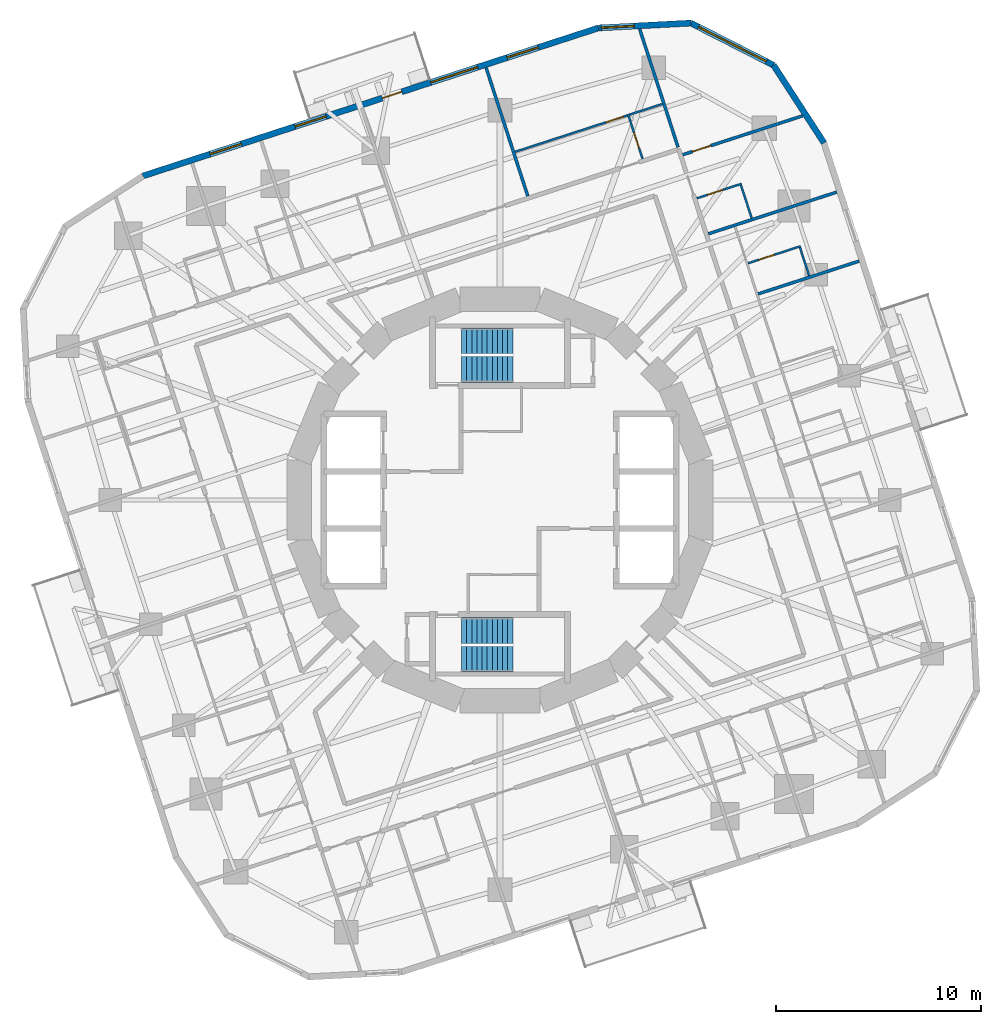
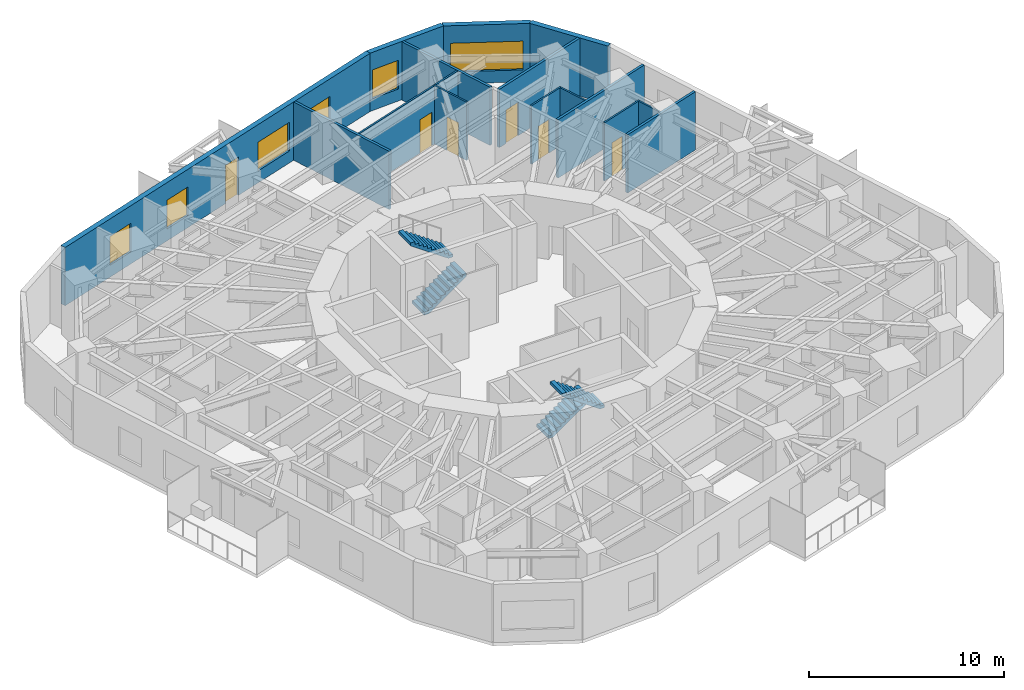
# One storey, part 10 of 12: 16 walls, 6 doors, 6 windows, 4 stair flights, 12 openings, 2 elements without a shape of their own.
"""IFC4 building model written with IfcOpenShell, lengths in metres."""

from ifc_helpers import new_model, si_unit, direction, frame, frame_2d, origin, place, context, subcontext, project, spatial, polyline, rectangle, outline, extrude, material, layer, layer_set, type_object, element, fill, aggregate, save


model = new_model("IFC4")

# Units and contexts
model_context = context("Model", 3, precision=1e-05, world=origin(), true_north=direction((0.0, 1.0)))
body_context = subcontext(model_context, "Body", "Model", "MODEL_VIEW")
ifc_project = project(units=[si_unit("LENGTHUNIT", "METRE"), si_unit("AREAUNIT", "SQUARE_METRE"), si_unit("VOLUMEUNIT", "CUBIC_METRE"), si_unit("PLANEANGLEUNIT", "RADIAN"), si_unit("MASSUNIT", "GRAM", prefix="KILO")], contexts=[model_context])

# Site, building, storey
site_placement = place(None, origin())
site = spatial("IfcSite", under=ifc_project, at=site_placement, CompositionType="ELEMENT")
building_placement = place(site_placement, origin())
building = spatial("IfcBuilding", under=site, at=building_placement, Name="Nakasero Lantern House", CompositionType="ELEMENT")
storey_placement = place(building_placement, frame((0.0, 0.0, 153.35009765625)))
storey = spatial("IfcBuildingStorey", under=building, at=storey_placement, Name="L37", CompositionType="ELEMENT", Elevation=153.35009765625)

# Wall, opening, door
ifc_material_1 = material(Name="Blockwork", Category="masonry")
ifc_layer_1 = layer(ifc_material_1, 0.10009765625)
ifc_layer_set_1 = layer_set([ifc_layer_1], Name="En-suite wall 100")
wall_type_1 = type_object("IfcWallType", Name="En-suite wall 100", PredefinedType="PARTITIONING", material=ifc_layer_set_1)
wall_1_placement = place(storey_placement, frame((12.11962890625, 11.564208984375, 0.0), z_axis=(0.0, 0.0, 1.0), x_axis=(0.951043371037, 0.309057448393, 0.0)))
wall_1 = element("IfcWall", 1, at=wall_1_placement, inside=storey, type_object=wall_type_1, Name="En-suite wall L37 ES0-05", PredefinedType="PARTITIONING", context=body_context, shape_type="SweptSolid", body=[
    extrude(rectangle(XDim=2.699951171875, YDim=0.10009765625, at=frame_2d((1.35009765625, 0.0))), origin(), (0.0, 0.0, 1.0), 3.64990234375),
])
opening_1_placement = place(wall_1_placement, frame((0.550048828125, 0.0, 0.0)))
opening_1 = element("IfcOpeningElement", 2, at=opening_1_placement, cuts=wall_1, Name="Opening D02", PredefinedType="OPENING", context=body_context, shape_type="SweptSolid", body=[
    extrude(rectangle(XDim=0.800048828125, YDim=2.10009765625, at=frame_2d((0.39990234375, 1.050048828125))), frame((0.0, 0.070068359375, 0.0), z_axis=(0.0, -1.0, 0.0), x_axis=(1.0, 0.0, 0.0)), (0.0, 0.0, 1.0), 0.14013671875),
])
ifc_material_2 = material(Name="Timber C24", Category="wood")
door_type_1 = type_object("IfcDoorType", Name="En-suite door 800", OperationType="SINGLE_SWING_RIGHT", PredefinedType="DOOR", material=ifc_material_2)
door_1_placement = place(opening_1_placement, origin())
door_1 = element("IfcDoor", 3, at=door_1_placement, inside=storey, type_object=door_type_1, Name="Door L37 DE0-05", OperationType="SINGLE_SWING_LEFT", OverallHeight=2.10009765625, OverallWidth=0.800048828125, PredefinedType="DOOR", context=body_context, shape_type="SweptSolid", body=[
    extrude(rectangle(XDim=0.800048828125, YDim=2.10009765625, at=frame_2d((0.39990234375, 1.050048828125))), frame((0.0, 0.02490234375, 0.0), z_axis=(0.0, -1.0, 0.0), x_axis=(1.0, 0.0, 0.0)), (0.0, 0.0, 1.0), 0.050048828125),
])
fill(opening_1, door_1)

# Wall
wall_2_placement = place(storey_placement, frame((15.103515625, 10.95654296875, 0.0), z_axis=(0.0, 0.0, 1.0), x_axis=(-0.309097492581, 0.951030357076, 0.0)))
element("IfcWall", 4, at=wall_2_placement, inside=storey, type_object=wall_type_1, Name="En-suite wall L37 EE0-05", PredefinedType="PARTITIONING", context=body_context, shape_type="SweptSolid", body=[
    extrude(rectangle(XDim=1.4501953125, YDim=0.10009765625, at=frame_2d((0.72509765625, 0.0))), origin(), (0.0, 0.0, 1.0), 3.64990234375),
])

# Wall, opening, door
wall_3_placement = place(storey_placement, frame((9.61572265625, 14.740234375, 0.0), z_axis=(0.0, 0.0, 1.0), x_axis=(0.951055129775, 0.309021261611, 0.0)))
wall_3 = element("IfcWall", 5, at=wall_3_placement, inside=storey, type_object=wall_type_1, Name="En-suite wall L37 ES0-06", PredefinedType="PARTITIONING", context=body_context, shape_type="SweptSolid", body=[
    extrude(rectangle(XDim=2.2998046875, YDim=0.10009765625, at=frame_2d((1.14990234375, 0.0))), origin(), (0.0, 0.0, 1.0), 3.64990234375),
])
opening_2_placement = place(wall_3_placement, frame((0.550048828125, 0.0, 0.0)))
opening_2 = element("IfcOpeningElement", 6, at=opening_2_placement, cuts=wall_3, Name="Opening D02", PredefinedType="OPENING", context=body_context, shape_type="SweptSolid", body=[
    extrude(rectangle(XDim=0.800048828125, YDim=2.10009765625, at=frame_2d((0.39990234375, 1.050048828125))), frame((0.0, 0.070068359375, 0.0), z_axis=(0.0, -1.0, 0.0), x_axis=(1.0, 0.0, 0.0)), (0.0, 0.0, 1.0), 0.14013671875),
])
door_2_placement = place(opening_2_placement, origin())
door_2 = element("IfcDoor", 7, at=door_2_placement, inside=storey, type_object=door_type_1, Name="Door L37 DE0-06", OperationType="SINGLE_SWING_LEFT", OverallHeight=2.10009765625, OverallWidth=0.800048828125, PredefinedType="DOOR", context=body_context, shape_type="SweptSolid", body=[
    extrude(rectangle(XDim=0.800048828125, YDim=2.10009765625, at=frame_2d((0.39990234375, 1.050048828125))), frame((0.0, 0.02490234375, 0.0), z_axis=(0.0, -1.0, 0.0), x_axis=(1.0, 0.0, 0.0)), (0.0, 0.0, 1.0), 0.050048828125),
])
fill(opening_2, door_2)

# Wall
wall_4_placement = place(storey_placement, frame((12.29638671875, 13.771240234375, 0.0), z_axis=(0.0, 0.0, 1.0), x_axis=(-0.309066587596, 0.951040401051, 0.0)))
element("IfcWall", 8, at=wall_4_placement, inside=storey, type_object=wall_type_1, Name="En-suite wall L37 EE0-06", PredefinedType="PARTITIONING", context=body_context, shape_type="SweptSolid", body=[
    extrude(rectangle(XDim=1.699951171875, YDim=0.10009765625, at=frame_2d((0.85009765625, 0.0))), origin(), (0.0, 0.0, 1.0), 3.64990234375),
])

# Wall, opening, door
wall_5_placement = place(storey_placement, frame((6.965087890625, 16.668212890625, 0.0), z_axis=(0.0, 0.0, 1.0), x_axis=(-0.309021261611, 0.951055129775, 0.0)))
wall_5 = element("IfcWall", 9, at=wall_5_placement, inside=storey, type_object=wall_type_1, Name="En-suite wall L37 ES1-00", PredefinedType="PARTITIONING", context=body_context, shape_type="SweptSolid", body=[
    extrude(rectangle(XDim=2.2998046875, YDim=0.10009765625, at=frame_2d((1.14990234375, 0.0))), origin(), (0.0, 0.0, 1.0), 3.64990234375),
])
opening_3_placement = place(wall_5_placement, frame((0.550048828125, 0.0, 0.0)))
opening_3 = element("IfcOpeningElement", 10, at=opening_3_placement, cuts=wall_5, Name="Opening D02", PredefinedType="OPENING", context=body_context, shape_type="SweptSolid", body=[
    extrude(rectangle(XDim=0.800048828125, YDim=2.10009765625, at=frame_2d((0.39990234375, 1.050048828125))), frame((0.0, 0.070068359375, 0.0), z_axis=(0.0, -1.0, 0.0), x_axis=(1.0, 0.0, 0.0)), (0.0, 0.0, 1.0), 0.14013671875),
])
door_3_placement = place(opening_3_placement, origin())
door_3 = element("IfcDoor", 11, at=door_3_placement, inside=storey, type_object=door_type_1, Name="Door L37 DE1-00", OperationType="SINGLE_SWING_LEFT", OverallHeight=2.10009765625, OverallWidth=0.800048828125, PredefinedType="DOOR", context=body_context, shape_type="SweptSolid", body=[
    extrude(rectangle(XDim=0.800048828125, YDim=2.10009765625, at=frame_2d((0.39990234375, 1.050048828125))), frame((0.0, 0.02490234375, 0.0), z_axis=(0.0, -1.0, 0.0), x_axis=(1.0, 0.0, 0.0)), (0.0, 0.0, 1.0), 0.050048828125),
])
fill(opening_3, door_3)

# Wall
wall_6_placement = place(storey_placement, frame((7.934326171875, 19.348876953125, 0.0), z_axis=(0.0, 0.0, 1.0), x_axis=(-0.951054116971, -0.309024378638, 0.0)))
element("IfcWall", 12, at=wall_6_placement, inside=storey, type_object=wall_type_1, Name="En-suite wall L37 EE1-00", PredefinedType="PARTITIONING", context=body_context, shape_type="SweptSolid", body=[
    extrude(rectangle(XDim=1.7001953125, YDim=0.10009765625, at=frame_2d((0.85009765625, 0.0))), origin(), (0.0, 0.0, 1.0), 3.64990234375),
])

# Wall, opening, door
wall_7_placement = place(storey_placement, frame((6.222412109375, 18.79248046875, 0.0), z_axis=(0.0, 0.0, 1.0), x_axis=(-0.951059566465, -0.30900760676, 0.0)))
wall_7 = element("IfcWall", 13, at=wall_7_placement, inside=storey, type_object=wall_type_1, Name="En-suite wall L37 EL1-00", PredefinedType="PARTITIONING", context=body_context, shape_type="SweptSolid", body=[
    extrude(rectangle(XDim=5.76904296875, YDim=0.10009765625, at=frame_2d((2.884521484375, 0.0))), origin(), (0.0, 0.0, 1.0), 3.64990234375),
])
opening_4_placement = place(wall_7_placement, frame((0.199951171875, 0.0, 0.0)))
opening_4 = element("IfcOpeningElement", 14, at=opening_4_placement, cuts=wall_7, Name="Opening D17", PredefinedType="OPENING", context=body_context, shape_type="SweptSolid", body=[
    extrude(rectangle(XDim=0.89990234375, YDim=2.10009765625, at=frame_2d((0.449951171875, 1.050048828125))), frame((0.0, 0.070068359375, 0.0), z_axis=(0.0, -1.0, 0.0), x_axis=(1.0, 0.0, 0.0)), (0.0, 0.0, 1.0), 0.14013671875),
])
ifc_material_3 = material(Name="Timber C24", Category="wood")
door_type_2 = type_object("IfcDoorType", Name="Bedroom door FD30S 900", OperationType="SINGLE_SWING_LEFT", PredefinedType="DOOR", material=ifc_material_3)
door_4_placement = place(opening_4_placement, origin())
door_4 = element("IfcDoor", 15, at=door_4_placement, inside=storey, type_object=door_type_2, Name="Door L37 DL1-00", OperationType="SINGLE_SWING_LEFT", OverallHeight=2.10009765625, OverallWidth=0.89990234375, PredefinedType="DOOR", context=body_context, shape_type="SweptSolid", body=[
    extrude(rectangle(XDim=0.89990234375, YDim=2.10009765625, at=frame_2d((0.449951171875, 1.050048828125))), frame((0.0, 0.02490234375, 0.0), z_axis=(0.0, -1.0, 0.0), x_axis=(1.0, 0.0, 0.0)), (0.0, 0.0, 1.0), 0.050048828125),
])
fill(opening_4, door_4)

# Wall
ifc_material_4 = material(Name="Aluminium rainscreen on blockwork", Category="masonry")
ifc_layer_2 = layer(ifc_material_4, 0.300048828125)
ifc_layer_set_2 = layer_set([ifc_layer_2], Name="Facade wall 300")
wall_type_2 = type_object("IfcWallType", Name="Facade wall 300", PredefinedType="SOLIDWALL", material=ifc_layer_set_2)
wall_8_placement = place(storey_placement, frame((15.83349609375, 17.44677734375, 0.0), z_axis=(0.0, 0.0, 1.0), x_axis=(-0.544634002266, 0.838673836229, 0.0)))
element("IfcWall", 16, at=wall_8_placement, inside=storey, type_object=wall_type_2, Name="Facade wall L37 FW0C1", PredefinedType="SOLIDWALL", context=body_context, shape_type="SweptSolid", body=[
    extrude(rectangle(XDim=4.529296875, YDim=0.300048828125, at=frame_2d((2.2646484375, 0.0))), origin(), (0.0, 0.0, 1.0), 3.64990234375),
])

# Wall, opening, window
wall_9_placement = place(storey_placement, frame((13.36669921875, 21.245361328125, 0.0), z_axis=(0.0, 0.0, 1.0), x_axis=(-0.890994655705, 0.454013792196, 0.0)))
wall_9 = element("IfcWall", 17, at=wall_9_placement, inside=storey, type_object=wall_type_2, Name="Facade wall L37 FW0C2", PredefinedType="SOLIDWALL", context=body_context, shape_type="SweptSolid", body=[
    extrude(rectangle(XDim=4.529296875, YDim=0.300048828125, at=frame_2d((2.2646484375, 0.0))), origin(), (0.0, 0.0, 1.0), 3.64990234375),
])
opening_5_placement = place(wall_9_placement, frame((0.39990234375, 0.0, 0.75)))
opening_5 = element("IfcOpeningElement", 18, at=opening_5_placement, cuts=wall_9, Name="Opening W237A", PredefinedType="OPENING", context=body_context, shape_type="SweptSolid", body=[
    extrude(rectangle(XDim=3.72900390625, YDim=1.800048828125, at=frame_2d((1.864501953125, 0.89990234375))), frame((0.0, 0.169921875, 0.0), z_axis=(0.0, -1.0, 0.0), x_axis=(1.0, 0.0, 0.0)), (0.0, 0.0, 1.0), 0.340087890625),
])
ifc_material_5 = material(Name="Aluminium 6063-T6 and glass", Category="aluminium")
window_type_1 = type_object("IfcWindowType", Name="Corner window 3729x1800", PartitioningType="SINGLE_PANEL", PredefinedType="WINDOW", material=ifc_material_5)
window_1_placement = place(opening_5_placement, origin())
window_1 = element("IfcWindow", 19, at=window_1_placement, inside=storey, type_object=window_type_1, Name="Window L37 WC0", OverallHeight=1.800048828125, OverallWidth=3.72900390625, PartitioningType="SINGLE_PANEL", PredefinedType="WINDOW", context=body_context, shape_type="SweptSolid", body=[
    extrude(rectangle(XDim=3.72900390625, YDim=1.800048828125, at=frame_2d((1.864501953125, 0.89990234375))), frame((0.0, 0.030029296875, 0.0), z_axis=(0.0, -1.0, 0.0), x_axis=(1.0, 0.0, 0.0)), (0.0, 0.0, 1.0), 0.06005859375),
])
fill(opening_5, window_1)

wall_10_placement = place(storey_placement, frame((9.3310546875, 23.3017578125, 0.0), z_axis=(0.0, 0.0, 1.0), x_axis=(-0.998629419044, -0.052338164079, 0.0)))
wall_10 = element("IfcWall", 20, at=wall_10_placement, inside=storey, type_object=wall_type_2, Name="Facade wall L37 FW0C3", PredefinedType="SOLIDWALL", context=body_context, shape_type="SweptSolid", body=[
    extrude(rectangle(XDim=4.529296875, YDim=0.300048828125, at=frame_2d((2.2646484375, 0.0))), origin(), (0.0, 0.0, 1.0), 3.64990234375),
])
opening_6_placement = place(wall_10_placement, frame((2.784912109375, 0.0, 0.75)))
opening_6 = element("IfcOpeningElement", 21, at=opening_6_placement, cuts=wall_10, Name="Opening W01", PredefinedType="OPENING", context=body_context, shape_type="SweptSolid", body=[
    extrude(rectangle(XDim=1.60009765625, YDim=1.800048828125, at=frame_2d((0.800048828125, 0.89990234375))), frame((0.0, 0.169921875, 0.0), z_axis=(0.0, -1.0, 0.0), x_axis=(1.0, 0.0, 0.0)), (0.0, 0.0, 1.0), 0.340087890625),
])
ifc_material_6 = material(Name="Aluminium 6063-T6 and glass", Category="aluminium")
window_type_2 = type_object("IfcWindowType", Name="Bedroom window 1600x1800", PartitioningType="SINGLE_PANEL", PredefinedType="WINDOW", material=ifc_material_6)
window_2_placement = place(opening_6_placement, origin())
window_2 = element("IfcWindow", 22, at=window_2_placement, inside=storey, type_object=window_type_2, Name="Window L37 WN1-00", OverallHeight=1.800048828125, OverallWidth=1.60009765625, PartitioningType="SINGLE_PANEL", PredefinedType="WINDOW", context=body_context, shape_type="SweptSolid", body=[
    extrude(rectangle(XDim=1.60009765625, YDim=1.800048828125, at=frame_2d((0.800048828125, 0.89990234375))), frame((0.0, 0.030029296875, 0.0), z_axis=(0.0, -1.0, 0.0), x_axis=(1.0, 0.0, 0.0)), (0.0, 0.0, 1.0), 0.06005859375),
])
fill(opening_6, window_2)

# Wall, openings, door, windows
wall_11_placement = place(storey_placement, frame((4.807861328125, 23.064697265625, 0.0), z_axis=(0.0, 0.0, 1.0), x_axis=(-0.951053618334, -0.30902591324, 0.0)))
wall_11 = element("IfcWall", 23, at=wall_11_placement, inside=storey, type_object=wall_type_2, Name="Facade wall L37 FW1S", PredefinedType="SOLIDWALL", context=body_context, shape_type="SweptSolid", body=[
    extrude(rectangle(XDim=23.39990234375, YDim=0.300048828125, at=frame_2d((11.699951171875, 0.0))), origin(), (0.0, 0.0, 1.0), 3.64990234375),
])
opening_7_placement = place(wall_11_placement, frame((3.089111328125, 0.0, 0.75)))
opening_7 = element("IfcOpeningElement", 24, at=opening_7_placement, cuts=wall_11, Name="Opening W01", PredefinedType="OPENING", context=body_context, shape_type="SweptSolid", body=[
    extrude(rectangle(XDim=1.60009765625, YDim=1.800048828125, at=frame_2d((0.800048828125, 0.89990234375))), frame((0.0, 0.169921875, 0.0), z_axis=(0.0, -1.0, 0.0), x_axis=(1.0, 0.0, 0.0)), (0.0, 0.0, 1.0), 0.340087890625),
])
opening_8_placement = place(wall_11_placement, frame((13.987548828125, 0.0, 0.75)))
opening_8 = element("IfcOpeningElement", 25, at=opening_8_placement, cuts=wall_11, Name="Opening W01", PredefinedType="OPENING", context=body_context, shape_type="SweptSolid", body=[
    extrude(rectangle(XDim=1.60009765625, YDim=1.800048828125, at=frame_2d((0.800048828125, 0.89990234375))), frame((0.0, 0.169921875, 0.0), z_axis=(0.0, -1.0, 0.0), x_axis=(1.0, 0.0, 0.0)), (0.0, 0.0, 1.0), 0.340087890625),
])
opening_9_placement = place(wall_11_placement, frame((18.350341796875, 0.0, 0.75)))
opening_9 = element("IfcOpeningElement", 26, at=opening_9_placement, cuts=wall_11, Name="Opening W01", PredefinedType="OPENING", context=body_context, shape_type="SweptSolid", body=[
    extrude(rectangle(XDim=1.60009765625, YDim=1.800048828125, at=frame_2d((0.800048828125, 0.89990234375))), frame((0.0, 0.169921875, 0.0), z_axis=(0.0, -1.0, 0.0), x_axis=(1.0, 0.0, 0.0)), (0.0, 0.0, 1.0), 0.340087890625),
])
opening_10_placement = place(wall_11_placement, frame((6.21337890625, 0.0, 0.75)))
opening_10 = element("IfcOpeningElement", 27, at=opening_10_placement, cuts=wall_11, Name="Opening W03", PredefinedType="OPENING", context=body_context, shape_type="SweptSolid", body=[
    extrude(rectangle(XDim=2.39990234375, YDim=1.800048828125, at=frame_2d((1.199951171875, 0.89990234375))), frame((0.0, 0.169921875, 0.0), z_axis=(0.0, -1.0, 0.0), x_axis=(1.0, 0.0, 0.0)), (0.0, 0.0, 1.0), 0.340087890625),
])
opening_11_placement = place(wall_11_placement, frame((10.1025390625, 0.0, 0.0)))
opening_11 = element("IfcOpeningElement", 28, at=opening_11_placement, cuts=wall_11, Name="Opening D04", PredefinedType="OPENING", context=body_context, shape_type="SweptSolid", body=[
    extrude(rectangle(XDim=1.0, YDim=2.39990234375, at=frame_2d((0.5, 1.199951171875))), frame((0.0, 0.169921875, 0.0), z_axis=(0.0, -1.0, 0.0), x_axis=(1.0, 0.0, 0.0)), (0.0, 0.0, 1.0), 0.340087890625),
])
ifc_material_7 = material(Name="Aluminium 6063-T6 and glass", Category="aluminium")
door_type_3 = type_object("IfcDoorType", Name="Balcony door 1000x2400", OperationType="SINGLE_SWING_RIGHT", PredefinedType="DOOR", material=ifc_material_7)
door_5_placement = place(opening_11_placement, origin())
door_5 = element("IfcDoor", 29, at=door_5_placement, inside=storey, type_object=door_type_3, Name="Balcony door L37 DB1", OperationType="SINGLE_SWING_RIGHT", OverallHeight=2.39990234375, OverallWidth=1.0, PredefinedType="DOOR", context=body_context, shape_type="SweptSolid", body=[
    extrude(rectangle(XDim=1.0, YDim=2.39990234375, at=frame_2d((0.5, 1.199951171875))), frame((0.0, 0.02490234375, 0.0), z_axis=(0.0, -1.0, 0.0), x_axis=(1.0, 0.0, 0.0)), (0.0, 0.0, 1.0), 0.050048828125),
])
fill(opening_11, door_5)
window_3_placement = place(opening_7_placement, origin())
window_3 = element("IfcWindow", 30, at=window_3_placement, inside=storey, type_object=window_type_2, Name="Window L37 WN1-01", OverallHeight=1.800048828125, OverallWidth=1.60009765625, PartitioningType="SINGLE_PANEL", PredefinedType="WINDOW", context=body_context, shape_type="SweptSolid", body=[
    extrude(rectangle(XDim=1.60009765625, YDim=1.800048828125, at=frame_2d((0.800048828125, 0.89990234375))), frame((0.0, 0.030029296875, 0.0), z_axis=(0.0, -1.0, 0.0), x_axis=(1.0, 0.0, 0.0)), (0.0, 0.0, 1.0), 0.06005859375),
])
fill(opening_7, window_3)
window_4_placement = place(opening_8_placement, origin())
window_4 = element("IfcWindow", 31, at=window_4_placement, inside=storey, type_object=window_type_2, Name="Window L37 WN1-04", OverallHeight=1.800048828125, OverallWidth=1.60009765625, PartitioningType="SINGLE_PANEL", PredefinedType="WINDOW", context=body_context, shape_type="SweptSolid", body=[
    extrude(rectangle(XDim=1.60009765625, YDim=1.800048828125, at=frame_2d((0.800048828125, 0.89990234375))), frame((0.0, 0.030029296875, 0.0), z_axis=(0.0, -1.0, 0.0), x_axis=(1.0, 0.0, 0.0)), (0.0, 0.0, 1.0), 0.06005859375),
])
fill(opening_8, window_4)
window_5_placement = place(opening_9_placement, origin())
window_5 = element("IfcWindow", 32, at=window_5_placement, inside=storey, type_object=window_type_2, Name="Window L37 WN1-05", OverallHeight=1.800048828125, OverallWidth=1.60009765625, PartitioningType="SINGLE_PANEL", PredefinedType="WINDOW", context=body_context, shape_type="SweptSolid", body=[
    extrude(rectangle(XDim=1.60009765625, YDim=1.800048828125, at=frame_2d((0.800048828125, 0.89990234375))), frame((0.0, 0.030029296875, 0.0), z_axis=(0.0, -1.0, 0.0), x_axis=(1.0, 0.0, 0.0)), (0.0, 0.0, 1.0), 0.06005859375),
])
fill(opening_9, window_5)
ifc_material_8 = material(Name="Aluminium 6063-T6 and glass", Category="aluminium")
window_type_3 = type_object("IfcWindowType", Name="Lounge window 2400x1800", PartitioningType="SINGLE_PANEL", PredefinedType="WINDOW", material=ifc_material_8)
window_6_placement = place(opening_10_placement, origin())
window_6 = element("IfcWindow", 33, at=window_6_placement, inside=storey, type_object=window_type_3, Name="Window L37 WK1", OverallHeight=1.800048828125, OverallWidth=2.39990234375, PartitioningType="SINGLE_PANEL", PredefinedType="WINDOW", context=body_context, shape_type="SweptSolid", body=[
    extrude(rectangle(XDim=2.39990234375, YDim=1.800048828125, at=frame_2d((1.199951171875, 0.89990234375))), frame((0.0, 0.030029296875, 0.0), z_axis=(0.0, -1.0, 0.0), x_axis=(1.0, 0.0, 0.0)), (0.0, 0.0, 1.0), 0.06005859375),
])
fill(opening_10, window_6)

# Walls
ifc_material_9 = material(Name="Blockwork", Category="masonry")
ifc_layer_3 = layer(ifc_material_9, 0.14990234375)
ifc_layer_set_3 = layer_set([ifc_layer_3], Name="Party wall 150")
wall_type_3 = type_object("IfcWallType", Name="Party wall 150", PredefinedType="PARTITIONING", material=ifc_layer_set_3)
wall_12_placement = place(storey_placement, frame((12.606201171875, 10.06640625, 0.0), z_axis=(0.0, 0.0, 1.0), x_axis=(0.951055112834, 0.309021313752, 0.0)))
element("IfcWall", 34, at=wall_12_placement, inside=storey, type_object=wall_type_3, Name="Party wall L37 PW0-05", PredefinedType="PARTITIONING", context=body_context, shape_type="SweptSolid", body=[
    extrude(rectangle(XDim=5.2001953125, YDim=0.14990234375, at=frame_2d((2.60009765625, 0.0))), origin(), (0.0, 0.0, 1.0), 3.64990234375),
])
wall_13_placement = place(storey_placement, frame((10.1796875, 13.004638671875, 0.0), z_axis=(0.0, 0.0, 1.0), x_axis=(0.951053095941, 0.309027520945, 0.0)))
element("IfcWall", 35, at=wall_13_placement, inside=storey, type_object=wall_type_3, Name="Party wall L37 PW0-06", PredefinedType="PARTITIONING", context=body_context, shape_type="SweptSolid", body=[
    extrude(rectangle(XDim=6.599853515625, YDim=0.14990234375, at=frame_2d((3.2998046875, 0.0))), origin(), (0.0, 0.0, 1.0), 3.64990234375),
])

# Wall, opening, door
wall_14_placement = place(storey_placement, frame((8.9248046875, 16.8662109375, 0.0), z_axis=(0.0, 0.0, 1.0), x_axis=(0.951051818488, 0.309031452366, 0.0)))
wall_14 = element("IfcWall", 36, at=wall_14_placement, inside=storey, type_object=wall_type_3, Name="Party wall L37 PC0", PredefinedType="PARTITIONING", context=body_context, shape_type="SweptSolid", body=[
    extrude(rectangle(XDim=6.165283203125, YDim=0.14990234375, at=frame_2d((3.08251953125, 0.0))), origin(), (0.0, 0.0, 1.0), 3.64990234375),
])
opening_12_placement = place(wall_14_placement, frame((0.5, 0.0, 0.0)))
opening_12 = element("IfcOpeningElement", 37, at=opening_12_placement, cuts=wall_14, Name="Opening D01", PredefinedType="OPENING", context=body_context, shape_type="SweptSolid", body=[
    extrude(rectangle(XDim=0.949951171875, YDim=2.10009765625, at=frame_2d((0.47509765625, 1.050048828125))), frame((0.0, 0.094970703125, 0.0), z_axis=(0.0, -1.0, 0.0), x_axis=(1.0, 0.0, 0.0)), (0.0, 0.0, 1.0), 0.18994140625),
])
ifc_material_10 = material(Name="Timber C24", Category="wood")
door_type_4 = type_object("IfcDoorType", Name="Bedroom door FD30S 950", OperationType="SINGLE_SWING_LEFT", PredefinedType="DOOR", material=ifc_material_10)
door_6_placement = place(opening_12_placement, origin())
door_6 = element("IfcDoor", 38, at=door_6_placement, inside=storey, type_object=door_type_4, Name="Door L37 DC0", OperationType="SINGLE_SWING_LEFT", OverallHeight=2.10009765625, OverallWidth=0.949951171875, PredefinedType="DOOR", context=body_context, shape_type="SweptSolid", body=[
    extrude(rectangle(XDim=0.949951171875, YDim=2.10009765625, at=frame_2d((0.47509765625, 1.050048828125))), frame((0.0, 0.02490234375, 0.0), z_axis=(0.0, -1.0, 0.0), x_axis=(1.0, 0.0, 0.0)), (0.0, 0.0, 1.0), 0.050048828125),
])
fill(opening_12, door_6)

# Walls
wall_15_placement = place(storey_placement, frame((8.700927734375, 17.232177734375, 0.0), z_axis=(0.0, 0.0, 1.0), x_axis=(-0.309015253813, 0.951057081836, 0.0)))
element("IfcWall", 39, at=wall_15_placement, inside=storey, type_object=wall_type_3, Name="Party wall L37 PW1-00", PredefinedType="PARTITIONING", context=body_context, shape_type="SweptSolid", body=[
    extrude(rectangle(XDim=6.080322265625, YDim=0.14990234375, at=frame_2d((3.0400390625, 0.0))), origin(), (0.0, 0.0, 1.0), 3.64990234375),
])
wall_16_placement = place(storey_placement, frame((1.359619140625, 14.846923828125, 0.0), z_axis=(0.0, 0.0, 1.0), x_axis=(-0.309027520945, 0.951053095941, 0.0)))
element("IfcWall", 40, at=wall_16_placement, inside=storey, type_object=wall_type_3, Name="Party wall L37 PW1-02", PredefinedType="PARTITIONING", context=body_context, shape_type="SweptSolid", body=[
    extrude(rectangle(XDim=6.599853515625, YDim=0.14990234375, at=frame_2d((3.2998046875, 0.0))), origin(), (0.0, 0.0, 1.0), 3.64990234375),
])

# Stair, stair flights
ifc_material_11 = material(Name="Concrete C40/50", Category="concrete")
stair_type_1 = type_object("IfcStairType", Name="Escape stair ST1 22 risers", PredefinedType="HALF_TURN_STAIR", material=ifc_material_11)
stair_1_placement = place(storey_placement, origin())
stair_1 = element("IfcStair", 41, at=stair_1_placement, inside=storey, type_object=stair_type_1, Name="Escape stair ST1 L37", PredefinedType="HALF_TURN_STAIR")
ifc_material_12 = material(Name="Concrete C40/50", Category="concrete")
stair_flight_type = type_object("IfcStairFlightType", Name="Escape stair flight", PredefinedType="STRAIGHT", material=ifc_material_12)
stair_flight_1_placement = place(storey_placement, frame((-1.875, 6.375, 0.0), z_axis=(0.0, 0.0, 1.0), x_axis=(1.0, 0.0, 0.0)))
stair_flight_1 = element("IfcStairFlight", 42, at=stair_flight_1_placement, type_object=stair_flight_type, Name="ST1 flight 1", NumberOfRisers=11, NumberOfTreads=10, PredefinedType="STRAIGHT", RiserHeight=0.175, TreadLength=0.25, context=body_context, shape_type="SweptSolid", body=[
    extrude(outline(polyline([(0.0, 0.0), (0.0, 0.175048828125), (0.25, 0.175048828125), (0.25, 0.35009765625), (0.5, 0.35009765625), (0.5, 0.52490234375), (0.75, 0.52490234375), (0.75, 0.699951171875), (1.0, 0.699951171875), (1.0, 0.875), (1.25, 0.875), (1.25, 1.050048828125), (1.5, 1.050048828125), (1.5, 1.22509765625), (1.75, 1.22509765625), (1.75, 1.39990234375), (2.0, 1.39990234375), (2.0, 1.574951171875), (2.25, 1.574951171875), (2.25, 1.75), (2.5, 1.75), (2.5, 1.925048828125), (2.5, 1.567138671875), (0.261474609375, 0.0), (0.0, 0.0)])), frame((0.0, 0.625, 0.0), z_axis=(0.0, -1.0, 0.0), x_axis=(1.0, 0.0, 0.0)), (0.0, 0.0, 1.0), 1.25),
])
stair_flight_2_placement = place(storey_placement, frame((0.625, 7.77490234375, 1.9248046875), z_axis=(0.0, 0.0, 1.0), x_axis=(-1.0, 0.0, 0.0)))
stair_flight_2 = element("IfcStairFlight", 43, at=stair_flight_2_placement, type_object=stair_flight_type, Name="ST1 flight 2", NumberOfRisers=11, NumberOfTreads=10, PredefinedType="STRAIGHT", RiserHeight=0.175, TreadLength=0.25, context=body_context, shape_type="SweptSolid", body=[
    extrude(outline(polyline([(0.0, 0.0), (0.0, 0.175048828125), (0.25, 0.175048828125), (0.25, 0.35009765625), (0.5, 0.35009765625), (0.5, 0.52490234375), (0.75, 0.52490234375), (0.75, 0.699951171875), (1.0, 0.699951171875), (1.0, 0.875), (1.25, 0.875), (1.25, 1.050048828125), (1.5, 1.050048828125), (1.5, 1.22509765625), (1.75, 1.22509765625), (1.75, 1.39990234375), (2.0, 1.39990234375), (2.0, 1.574951171875), (2.25, 1.574951171875), (2.25, 1.75), (2.5, 1.75), (2.5, 1.925048828125), (2.5, 1.567138671875), (0.261474609375, 0.0), (0.0, 0.0)])), frame((0.0, 0.625, 0.0), z_axis=(0.0, -1.0, 0.0), x_axis=(1.0, 0.0, 0.0)), (0.0, 0.0, 1.0), 1.25),
])
aggregate(stair_1, [stair_flight_1, stair_flight_2])

ifc_material_13 = material(Name="Concrete C40/50", Category="concrete")
stair_type_2 = type_object("IfcStairType", Name="Escape stair ST2 22 risers", PredefinedType="HALF_TURN_STAIR", material=ifc_material_13)
stair_2_placement = place(storey_placement, origin())
stair_2 = element("IfcStair", 44, at=stair_2_placement, inside=storey, type_object=stair_type_2, Name="Escape stair ST2 L37", PredefinedType="HALF_TURN_STAIR")
stair_flight_3_placement = place(storey_placement, frame((-1.875, -6.375, 0.0), z_axis=(0.0, 0.0, 1.0), x_axis=(1.0, 0.0, 0.0)))
stair_flight_3 = element("IfcStairFlight", 45, at=stair_flight_3_placement, type_object=stair_flight_type, Name="ST2 flight 1", NumberOfRisers=11, NumberOfTreads=10, PredefinedType="STRAIGHT", RiserHeight=0.175, TreadLength=0.25, context=body_context, shape_type="SweptSolid", body=[
    extrude(outline(polyline([(0.0, 0.0), (0.0, 0.175048828125), (0.25, 0.175048828125), (0.25, 0.35009765625), (0.5, 0.35009765625), (0.5, 0.52490234375), (0.75, 0.52490234375), (0.75, 0.699951171875), (1.0, 0.699951171875), (1.0, 0.875), (1.25, 0.875), (1.25, 1.050048828125), (1.5, 1.050048828125), (1.5, 1.22509765625), (1.75, 1.22509765625), (1.75, 1.39990234375), (2.0, 1.39990234375), (2.0, 1.574951171875), (2.25, 1.574951171875), (2.25, 1.75), (2.5, 1.75), (2.5, 1.925048828125), (2.5, 1.567138671875), (0.261474609375, 0.0), (0.0, 0.0)])), frame((0.0, 0.625, 0.0), z_axis=(0.0, -1.0, 0.0), x_axis=(1.0, 0.0, 0.0)), (0.0, 0.0, 1.0), 1.25),
])
stair_flight_4_placement = place(storey_placement, frame((0.625, -7.77490234375, 1.9248046875), z_axis=(0.0, 0.0, 1.0), x_axis=(-1.0, 0.0, 0.0)))
stair_flight_4 = element("IfcStairFlight", 46, at=stair_flight_4_placement, type_object=stair_flight_type, Name="ST2 flight 2", NumberOfRisers=11, NumberOfTreads=10, PredefinedType="STRAIGHT", RiserHeight=0.175, TreadLength=0.25, context=body_context, shape_type="SweptSolid", body=[
    extrude(outline(polyline([(0.0, 0.0), (0.0, 0.175048828125), (0.25, 0.175048828125), (0.25, 0.35009765625), (0.5, 0.35009765625), (0.5, 0.52490234375), (0.75, 0.52490234375), (0.75, 0.699951171875), (1.0, 0.699951171875), (1.0, 0.875), (1.25, 0.875), (1.25, 1.050048828125), (1.5, 1.050048828125), (1.5, 1.22509765625), (1.75, 1.22509765625), (1.75, 1.39990234375), (2.0, 1.39990234375), (2.0, 1.574951171875), (2.25, 1.574951171875), (2.25, 1.75), (2.5, 1.75), (2.5, 1.925048828125), (2.5, 1.567138671875), (0.261474609375, 0.0), (0.0, 0.0)])), frame((0.0, 0.625, 0.0), z_axis=(0.0, -1.0, 0.0), x_axis=(1.0, 0.0, 0.0)), (0.0, 0.0, 1.0), 1.25),
])
aggregate(stair_2, [stair_flight_3, stair_flight_4])

save(model, "model.ifc")
